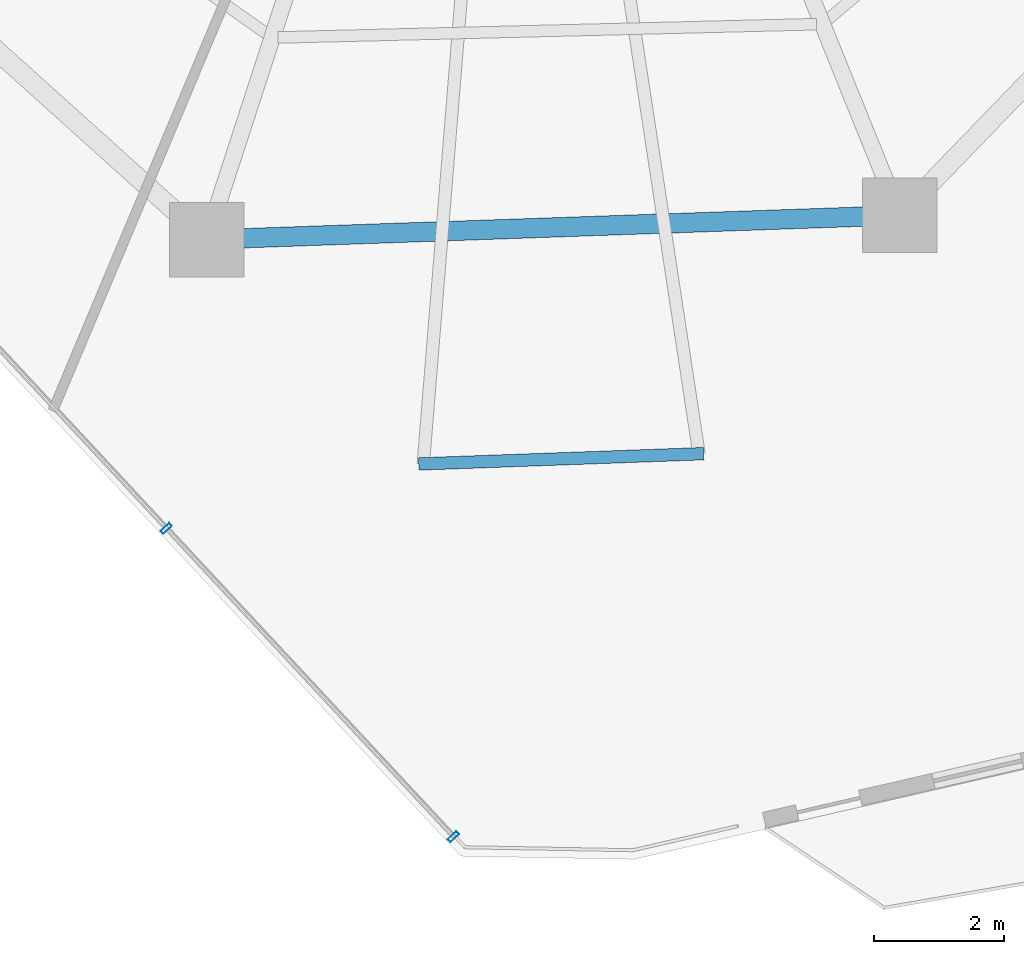
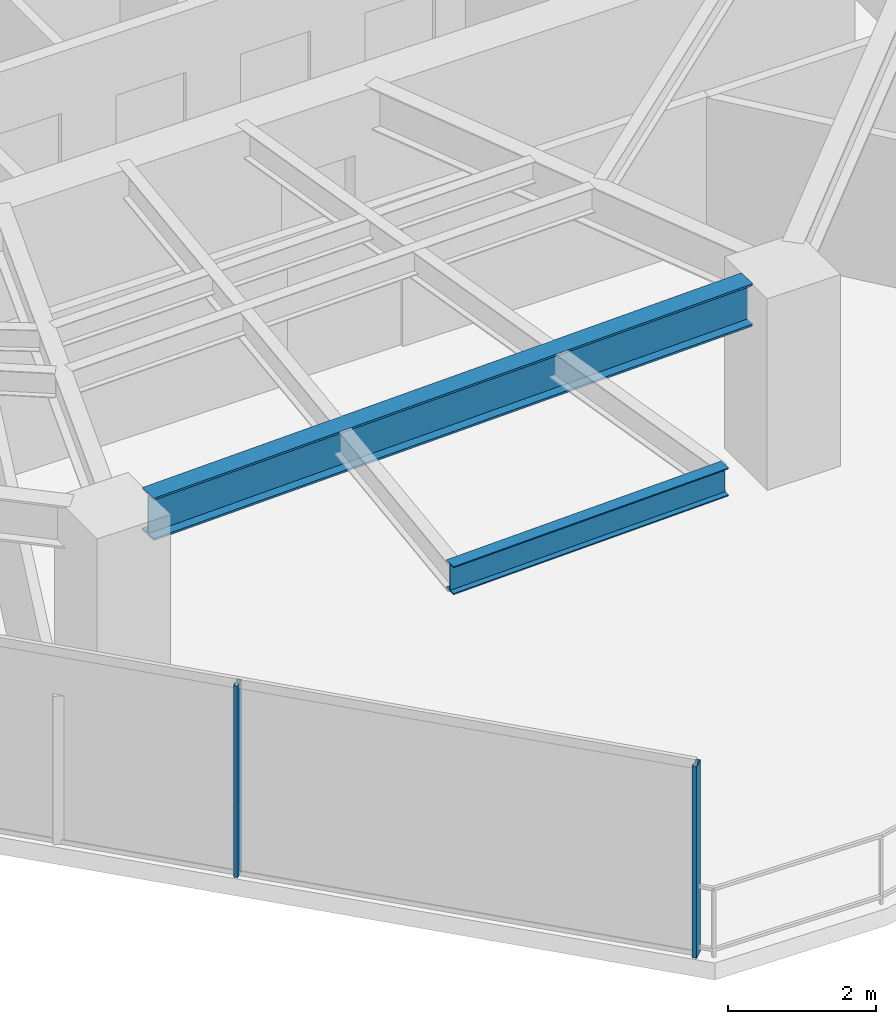
# One storey, part 3 of 23: 2 beams, 2 members, 1 element without a shape of its own.
"""IFC4 building model written with IfcOpenShell, lengths in metres."""

from ifc_helpers import new_model, si_unit, direction, frame, origin, origin_2d, place, context, subcontext, project, spatial, hollow_rectangle, i_section, extrude, material, layer, layer_set, material_profile, profile_set, type_object, element, aggregate, save


model = new_model("IFC4")

# Units and contexts
model_context = context("Model", 3, precision=1e-05, world=origin(), true_north=direction((0.0, 1.0)))
body_context = subcontext(model_context, "Body", "Model", "MODEL_VIEW")
ifc_project = project(units=[si_unit("LENGTHUNIT", "METRE"), si_unit("AREAUNIT", "SQUARE_METRE"), si_unit("VOLUMEUNIT", "CUBIC_METRE"), si_unit("PLANEANGLEUNIT", "RADIAN"), si_unit("MASSUNIT", "GRAM", prefix="KILO")], contexts=[model_context])

# Site, building, storey
site_placement = place(None, origin())
site = spatial("IfcSite", under=ifc_project, at=site_placement, CompositionType="ELEMENT")
building_placement = place(site_placement, origin())
building = spatial("IfcBuilding", under=site, at=building_placement, Name="Qarnah Convention Tower", CompositionType="ELEMENT")
storey_placement = place(building_placement, frame((0.0, 0.0, 114.300048828125)))
storey = spatial("IfcBuildingStorey", under=building, at=storey_placement, Name="L30", CompositionType="ELEMENT", Elevation=114.300048828125)

# Beams
ifc_material_1 = material(Name="Structural steel S355JR", Category="steel")
ifc_material_profile_1 = material_profile(ifc_material_1, i_section(OverallWidth=0.19189453125, OverallDepth=0.464111328125, WebThickness=0.010986328125, FlangeThickness=0.01806640625, at=origin_2d()), Name="W460X89")
ifc_profile_set_1 = profile_set([ifc_material_profile_1], Name="Structural steel S355JR")
beam_type_1 = type_object("IfcBeamType", Name="BM-CANT-W460A", PredefinedType="BEAM", material=ifc_profile_set_1)
beam_1_placement = place(storey_placement, frame((40.035888671875, 8.2109375, 2.93798828125), z_axis=(-0.999347061952, -0.036131008404, 0.0), x_axis=(0.036131008404, -0.999347061952, 0.0)))
element("IfcBeam", 1, at=beam_1_placement, inside=storey, type_object=beam_type_1, Name="L30 spandrel BM-L30-CTIE-03", PredefinedType="SPANDREL", context=body_context, shape_type="SweptSolid", body=[
    extrude(i_section(OverallWidth=0.19189453125, OverallDepth=0.464111328125, WebThickness=0.010986328125, FlangeThickness=0.01806640625, at=origin_2d()), origin(), (0.0, 0.0, 1.0), 4.39892578125),
])
ifc_material_profile_2 = material_profile(ifc_material_1, i_section(OverallWidth=0.300048828125, OverallDepth=0.699951171875, WebThickness=0.01708984375, FlangeThickness=0.031982421875, at=origin_2d()), Name="HEB700")
ifc_profile_set_2 = profile_set([ifc_material_profile_2], Name="Structural steel S355JR")
beam_type_2 = type_object("IfcBeamType", Name="BM-RING-HEB700", PredefinedType="BEAM", material=ifc_profile_set_2)
beam_2_placement = place(storey_placement, frame((32.928955078125, 11.535888671875, 2.820068359375), z_axis=(0.999390577592, 0.03490663862, 0.0), x_axis=(-0.03490663862, 0.999390577592, 0.0)))
element("IfcBeam", 2, at=beam_2_placement, inside=storey, type_object=beam_type_2, Name="L30 beam BM-L30-SPN-07", PredefinedType="BEAM", context=body_context, shape_type="SweptSolid", body=[
    extrude(i_section(OverallWidth=0.300048828125, OverallDepth=0.699951171875, WebThickness=0.01708984375, FlangeThickness=0.031982421875, at=origin_2d()), origin(), (0.0, 0.0, 1.0), 9.574951171875),
])

# Curtain wall, members
ifc_material_2 = material(Name="Tempered Low-E dark glass", Category="glass")
ifc_layer = layer(ifc_material_2, 0.169921875)
ifc_layer_set = layer_set([ifc_layer], Name="Tempered Low-E dark glass")
curtain_wall_type = type_object("IfcCurtainWallType", Name="CWS-02", PredefinedType="NOTDEFINED", material=ifc_layer_set)
curtain_wall_placement = place(storey_placement, origin())
curtain_wall = element("IfcCurtainWall", 3, at=curtain_wall_placement, inside=storey, type_object=curtain_wall_type, Name="L30 unitised curtain wall CW-L30-F1", PredefinedType="NOTDEFINED")
ifc_material_3 = material(Name="Black anodised aluminium", Category="aluminium")
ifc_material_profile_3 = material_profile(ifc_material_3, hollow_rectangle(XDim=0.06494140625, YDim=0.179931640625, WallThickness=0.00390625, at=origin_2d()), Name="MUL-65X180")
ifc_profile_set_3 = profile_set([ifc_material_profile_3], Name="Black anodised aluminium")
member_type = type_object("IfcMemberType", Name="MUL-T2", PredefinedType="MULLION", material=ifc_profile_set_3)
member_1_placement = place(storey_placement, frame((36.174072265625, 2.299072265625, 0.0), z_axis=(0.0, 0.0, 1.0), x_axis=(-0.68148272069, 0.731834203492, 0.0)))
member_1 = element("IfcMember", 4, at=member_1_placement, type_object=member_type, Name="CW-L30-F1 mullion 1", PredefinedType="MULLION", context=body_context, shape_type="SweptSolid", body=[
    extrude(hollow_rectangle(XDim=0.06494140625, YDim=0.179931640625, WallThickness=0.00390625, at=origin_2d()), origin(), (0.0, 0.0, 1.0), 3.169921875),
])
member_2_placement = place(storey_placement, frame((31.742919921875, 7.0576171875, 0.0), z_axis=(0.0, 0.0, 1.0), x_axis=(-0.68148272069, 0.731834203492, 0.0)))
member_2 = element("IfcMember", 5, at=member_2_placement, type_object=member_type, Name="CW-L30-F1 mullion 2", PredefinedType="MULLION", context=body_context, shape_type="SweptSolid", body=[
    extrude(hollow_rectangle(XDim=0.06494140625, YDim=0.179931640625, WallThickness=0.00390625, at=origin_2d()), origin(), (0.0, 0.0, 1.0), 3.169921875),
])
aggregate(curtain_wall, [member_1, member_2])

save(model, "model.ifc")
